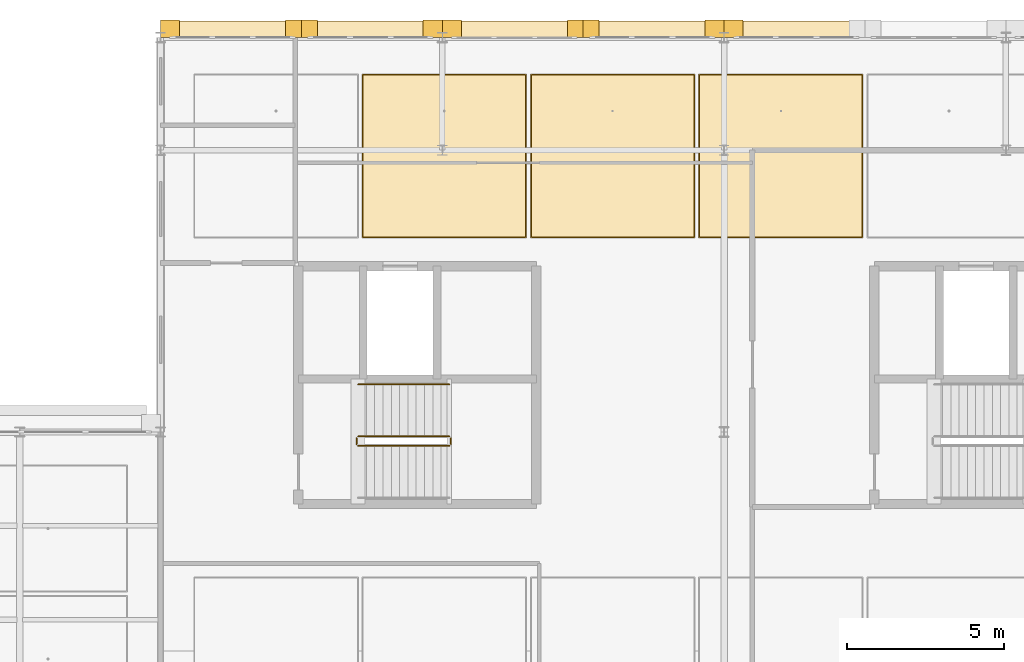
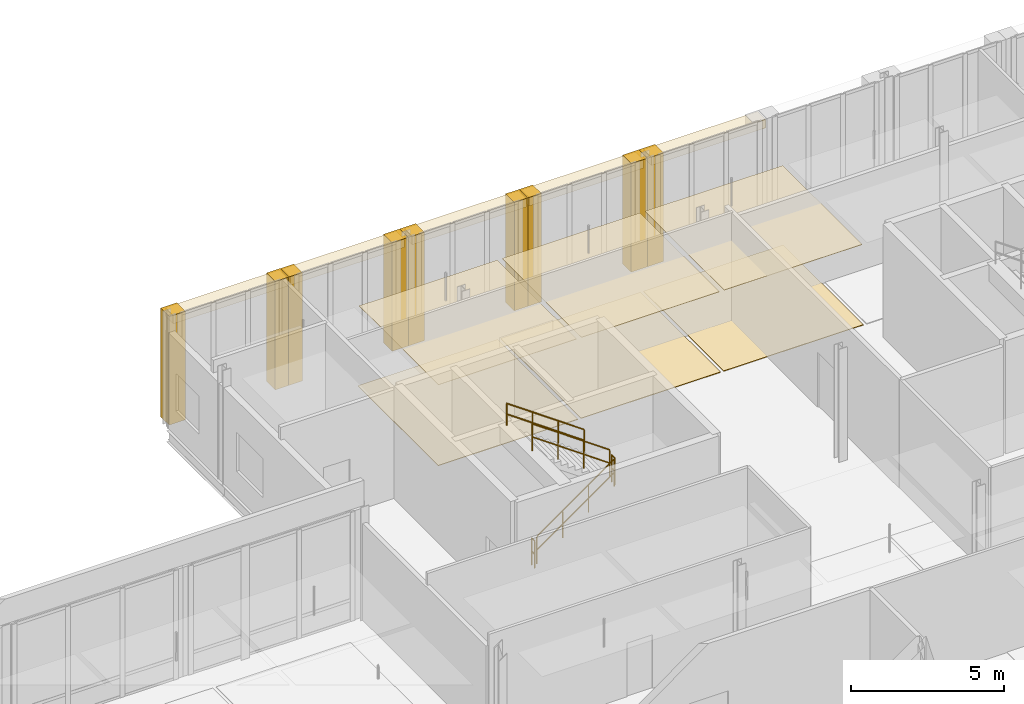
# One storey, part 87 of 89: 20 coverings, 5 railings.
"""IFC4 building model written with IfcOpenShell, lengths in metres."""

from ifc_helpers import new_model, si_unit, direction, frame, origin, origin_2d, place, context, subcontext, project, spatial, rectangle, circle, extrude, material, layer, layer_set, type_object, element, save


model = new_model("IFC4")

# Units and contexts
model_context = context("Model", 3, precision=1e-05, world=origin(), true_north=direction((0.0, 1.0)))
body_context = subcontext(model_context, "Body", "Model", "MODEL_VIEW")
ifc_project = project(units=[si_unit("LENGTHUNIT", "METRE"), si_unit("AREAUNIT", "SQUARE_METRE"), si_unit("VOLUMEUNIT", "CUBIC_METRE"), si_unit("PLANEANGLEUNIT", "RADIAN"), si_unit("MASSUNIT", "GRAM", prefix="KILO"), si_unit("THERMODYNAMICTEMPERATUREUNIT", "KELVIN"), si_unit("POWERUNIT", "WATT")], contexts=[model_context])

# Site, building, storey
site_placement = place(None, origin())
site = spatial("IfcSite", under=ifc_project, at=site_placement, CompositionType="ELEMENT")
building_placement = place(site_placement, origin())
building = spatial("IfcBuilding", under=site, at=building_placement, Name="Tallowbark Science Centre", CompositionType="ELEMENT")
storey_placement = place(building_placement, frame((0.0, 0.0, 14.39990234375)))
storey = spatial("IfcBuildingStorey", under=building, at=storey_placement, Name="L03", CompositionType="ELEMENT", Elevation=14.39990234375)

# Coverings
ifc_material_1 = material(Name="Mineral-Fibre Acoustic Ceiling Tile Grid")
ifc_layer_1 = layer(ifc_material_1, 0.01806640625)
ifc_layer_set_1 = layer_set([ifc_layer_1], Name="Mineral-Fibre Acoustic Ceiling Tile Grid")
covering_type_1 = type_object("IfcCoveringType", Name="CLG-ACT-18", PredefinedType="CEILING", material=ifc_layer_set_1)
for number, where, z_axis, x_axis, name in (
    (1, (121.5625, 107.8212890625, 3.191162109375), (0.0, 0.0, 1.0), (1.0, 0.0, 0.0), "Suspended Ceiling L03-1036"),
    (2, (126.9375, 107.8212890625, 3.191162109375), (0.0, 0.0, 1.0), (1.0, 0.0, 0.0), "Suspended Ceiling L03-1038"),
    (3, (132.3125, 107.8212890625, 3.191162109375), (0.0, 0.0, 1.0), (1.0, 0.0, 0.0), "Suspended Ceiling L03-1043"),
):
    element("IfcCovering", number, at=place(storey_placement, frame(where, z_axis=z_axis, x_axis=x_axis)), inside=storey, type_object=covering_type_1, Name=name, PredefinedType="CEILING", context=body_context, shape_type="SweptSolid", body=[
        extrude(rectangle(XDim=5.195068359375, YDim=5.177001953125, at=origin_2d()), origin(), (0.0, 0.0, 1.0), 0.01806640625),
    ])
ifc_material_2 = material(Name="White Architectural Precast Concrete Grade N40 (40 MPa)", Category="concrete")
ifc_layer_2 = layer(ifc_material_2, 0.1201171875)
ifc_layer_set_2 = layer_set([ifc_layer_2], Name="White Architectural Precast Concrete Grade N40 (40 MPa)")
covering_type_2 = type_object("IfcCoveringType", Name="COV-PRC-CLAD", PredefinedType="CLADDING", material=ifc_layer_set_2)
covering_placement = place(storey_placement, frame((121.195068359375, 111.8798828125, 0.0), z_axis=(0.0, 0.0, 1.0), x_axis=(-1.0, 0.0, 0.0)))
element("IfcCovering", 4, at=covering_placement, inside=storey, type_object=covering_type_2, Name="Postmodern Deep Precast Pier CW-L03-166-1", PredefinedType="CLADDING", context=body_context, shape_type="SweptSolid", body=[
    extrude(rectangle(XDim=0.610107421875, YDim=0.56005859375, at=origin_2d()), origin(), (0.0, 0.0, 1.0), 4.320068359375),
])
for number, where, z_axis, x_axis, name in (
    (5, (117.2548828125, 111.8798828125, 0.0), (0.0, 0.0, 1.0), (-1.0, 0.0, 0.0), "Postmodern Deep Precast Pier CW-L03-166-2"),
    (6, (116.7451171875, 111.8798828125, 0.0), (0.0, 0.0, 1.0), (-1.0, 0.0, 0.0), "Postmodern Deep Precast Pier CW-L03-167-1"),
):
    element("IfcCovering", number, at=place(storey_placement, frame(where, z_axis=z_axis, x_axis=x_axis)), inside=storey, type_object=covering_type_2, Name=name, PredefinedType="CLADDING", context=body_context, shape_type="SweptSolid", body=[
        extrude(rectangle(XDim=0.510009765625, YDim=0.56005859375, at=origin_2d()), origin(), (0.0, 0.0, 1.0), 4.320068359375),
    ])
for number, where, z_axis, x_axis, name in (
    (7, (112.804931640625, 111.8798828125, 0.0), (0.0, 0.0, 1.0), (-1.0, 0.0, 0.0), "Postmodern Deep Precast Pier CW-L03-167-2"),
    (8, (130.195068359375, 111.8798828125, 0.0), (0.0, 0.0, 1.0), (-1.0, 0.0, 0.0), "Postmodern Deep Precast Pier CW-L03-170-1"),
):
    element("IfcCovering", number, at=place(storey_placement, frame(where, z_axis=z_axis, x_axis=x_axis)), inside=storey, type_object=covering_type_2, Name=name, PredefinedType="CLADDING", context=body_context, shape_type="SweptSolid", body=[
        extrude(rectangle(XDim=0.610107421875, YDim=0.56005859375, at=origin_2d()), origin(), (0.0, 0.0, 1.0), 4.320068359375),
    ])
for number, where, z_axis, x_axis, name in (
    (9, (126.2548828125, 111.8798828125, 0.0), (0.0, 0.0, 1.0), (-1.0, 0.0, 0.0), "Postmodern Deep Precast Pier CW-L03-170-2"),
    (10, (125.7451171875, 111.8798828125, 0.0), (0.0, 0.0, 1.0), (-1.0, 0.0, 0.0), "Postmodern Deep Precast Pier CW-L03-171-1"),
):
    element("IfcCovering", number, at=place(storey_placement, frame(where, z_axis=z_axis, x_axis=x_axis)), inside=storey, type_object=covering_type_2, Name=name, PredefinedType="CLADDING", context=body_context, shape_type="SweptSolid", body=[
        extrude(rectangle(XDim=0.510009765625, YDim=0.56005859375, at=origin_2d()), origin(), (0.0, 0.0, 1.0), 4.320068359375),
    ])
for number, where, z_axis, x_axis, name in (
    (11, (121.804931640625, 111.8798828125, 0.0), (0.0, 0.0, 1.0), (-1.0, 0.0, 0.0), "Postmodern Deep Precast Pier CW-L03-171-2"),
    (12, (130.804931640625, 111.8798828125, 0.0), (0.0, 0.0, 1.0), (-1.0, 0.0, 0.0), "Postmodern Deep Precast Pier CW-L03-175-2"),
):
    element("IfcCovering", number, at=place(storey_placement, frame(where, z_axis=z_axis, x_axis=x_axis)), inside=storey, type_object=covering_type_2, Name=name, PredefinedType="CLADDING", context=body_context, shape_type="SweptSolid", body=[
        extrude(rectangle(XDim=0.610107421875, YDim=0.56005859375, at=origin_2d()), origin(), (0.0, 0.0, 1.0), 4.320068359375),
    ])
ifc_material_3 = material(Name="Vitrified Ochre Terracotta Architectural Rainscreen", Category="masonry")
ifc_layer_3 = layer(ifc_material_3, 0.0380859375)
ifc_layer_set_3 = layer_set([ifc_layer_3], Name="Vitrified Ochre Terracotta Architectural Rainscreen")
covering_type_3 = type_object("IfcCoveringType", Name="COV-TER-CLAD", PredefinedType="CLADDING", material=ifc_layer_set_3)
for number, where, z_axis, x_axis, name in (
    (13, (119.199951171875, 111.860107421875, 3.97021484375), (0.0, 0.0, 1.0), (-1.0, 0.0, 0.0), "Postmodern Terracotta Cornice Band CW-L03-166"),
    (14, (114.800048828125, 111.860107421875, 3.97021484375), (0.0, 0.0, 1.0), (-1.0, 0.0, 0.0), "Postmodern Terracotta Cornice Band CW-L03-167"),
    (15, (128.199951171875, 111.860107421875, 3.97021484375), (0.0, 0.0, 1.0), (-1.0, 0.0, 0.0), "Postmodern Terracotta Cornice Band CW-L03-170"),
    (16, (123.800048828125, 111.860107421875, 3.97021484375), (0.0, 0.0, 1.0), (-1.0, 0.0, 0.0), "Postmodern Terracotta Cornice Band CW-L03-171"),
    (17, (132.800048828125, 111.860107421875, 3.97021484375), (0.0, 0.0, 1.0), (-1.0, 0.0, 0.0), "Postmodern Terracotta Cornice Band CW-L03-175"),
):
    element("IfcCovering", number, at=place(storey_placement, frame(where, z_axis=z_axis, x_axis=x_axis)), inside=storey, type_object=covering_type_3, Name=name, PredefinedType="CLADDING", context=body_context, shape_type="SweptSolid", body=[
        extrude(rectangle(XDim=4.300048828125, YDim=0.52001953125, at=origin_2d()), origin(), (0.0, 0.0, 1.0), 0.340087890625),
    ])
ifc_material_4 = material(Name="Engineered Blackbutt Gallery Timber Flooring", Category="wood")
ifc_layer_4 = layer(ifc_material_4, 0.02197265625)
ifc_layer_set_4 = layer_set([ifc_layer_4], Name="Engineered Blackbutt Gallery Timber Flooring")
covering_type_4 = type_object("IfcCoveringType", Name="FLR-TIM-22", PredefinedType="FLOORING", material=ifc_layer_set_4)
for number, where, z_axis, x_axis, name in (
    (18, (121.5625, 107.8212890625, 0.0), (0.0, 0.0, 1.0), (1.0, 0.0, 0.0), "Floor Finish L03-1036"),
    (19, (126.9375, 107.8212890625, 0.0), (0.0, 0.0, 1.0), (1.0, 0.0, 0.0), "Floor Finish L03-1038"),
    (20, (132.3125, 107.8212890625, 0.0), (0.0, 0.0, 1.0), (1.0, 0.0, 0.0), "Floor Finish L03-1043"),
):
    element("IfcCovering", number, at=place(storey_placement, frame(where, z_axis=z_axis, x_axis=x_axis)), inside=storey, type_object=covering_type_4, Name=name, PredefinedType="FLOORING", context=body_context, shape_type="SweptSolid", body=[
        extrude(rectangle(XDim=5.2548828125, YDim=5.237060546875, at=origin_2d()), origin(), (0.0, 0.0, 1.0), 0.02197265625),
    ])

# Railings
ifc_material_5 = material(Name="Galvanised Painted Steel and Laminated Glass Balustrade", Category="steel")
ifc_layer_5 = layer(ifc_material_5, 0.070068359375)
ifc_layer_set_5 = layer_set([ifc_layer_5], Name="Galvanised Painted Steel and Laminated Glass Balustrade")
railing_type_1 = type_object("IfcRailingType", Name="RLG-BAL-1150", PredefinedType="BALUSTRADE", material=ifc_layer_set_5)
railing_1_placement = place(storey_placement, frame((118.81005859375, 98.56005859375, 0.1875)))
element("IfcRailing", 21, at=railing_1_placement, inside=storey, type_object=railing_type_1, Name="L03 ST-05 stair guard 1", PredefinedType="BALUSTRADE", context=body_context, shape_type="SweptSolid", body=[
    extrude(circle(Radius=0.02392578125, at=origin_2d()), frame((0.0, 0.0, 1.076171875), z_axis=(0.816330724661, 0.0, 0.577584753931), x_axis=(0.0, 1.0, 0.0)), (0.0, 0.0, 1.0), 3.57080078125),
    extrude(circle(Radius=0.02392578125, at=origin_2d()), frame((0.0, 0.0, 0.550048828125), z_axis=(0.816330724661, 0.0, 0.577584753931), x_axis=(0.0, 1.0, 0.0)), (0.0, 0.0, 1.0), 3.57080078125),
    extrude(circle(Radius=0.02099609375, at=origin_2d()), origin(), (0.0, 0.0, 1.0), 1.052001953125),
    extrude(circle(Radius=0.02099609375, at=origin_2d()), frame((0.9716796875, 0.0, 0.6875)), (0.0, 0.0, 1.0), 1.052001953125),
    extrude(circle(Radius=0.02099609375, at=origin_2d()), frame((1.943359375, 0.0, 1.375)), (0.0, 0.0, 1.0), 1.052001953125),
    extrude(circle(Radius=0.02099609375, at=origin_2d()), frame((2.9150390625, 0.0, 2.0625)), (0.0, 0.0, 1.0), 1.052001953125),
])
railing_2_placement = place(storey_placement, frame((121.77490234375, 98.610107421875, 2.25)))
element("IfcRailing", 22, at=railing_2_placement, inside=storey, type_object=railing_type_1, Name="L03 ST-05 stair guard 2", PredefinedType="BALUSTRADE", context=body_context, shape_type="SweptSolid", body=[
    extrude(circle(Radius=0.02392578125, at=origin_2d()), frame((0.0, 0.0, 1.076171875), z_axis=(0.0, 1.0, 0.0), x_axis=(-1.0, 0.0, 0.0)), (0.0, 0.0, 1.0), 0.199951171875),
    extrude(circle(Radius=0.02392578125, at=origin_2d()), frame((0.0, 0.0, 0.550048828125), z_axis=(0.0, 1.0, 0.0), x_axis=(-1.0, 0.0, 0.0)), (0.0, 0.0, 1.0), 0.199951171875),
    extrude(circle(Radius=0.02099609375, at=origin_2d()), origin(), (0.0, 0.0, 1.0), 1.052001953125),
    extrude(circle(Radius=0.02099609375, at=origin_2d()), frame((0.0, 0.199951171875, 0.0)), (0.0, 0.0, 1.0), 1.052001953125),
])
railing_3_placement = place(storey_placement, frame((121.72509765625, 98.860107421875, 2.4375)))
element("IfcRailing", 23, at=railing_3_placement, inside=storey, type_object=railing_type_1, Name="L03 ST-05 stair guard 3", PredefinedType="BALUSTRADE", context=body_context, shape_type="SweptSolid", body=[
    extrude(circle(Radius=0.02392578125, at=origin_2d()), frame((0.0, 0.0, 1.076171875), z_axis=(-0.816330724661, 0.0, 0.577584753931), x_axis=(0.0, -1.0, 0.0)), (0.0, 0.0, 1.0), 3.57080078125),
    extrude(circle(Radius=0.02392578125, at=origin_2d()), frame((0.0, 0.0, 0.550048828125), z_axis=(-0.816330724661, 0.0, 0.577584753931), x_axis=(0.0, -1.0, 0.0)), (0.0, 0.0, 1.0), 3.57080078125),
    extrude(circle(Radius=0.02099609375, at=origin_2d()), origin(), (0.0, 0.0, 1.0), 1.052001953125),
    extrude(circle(Radius=0.02099609375, at=origin_2d()), frame((-0.9716796875, 0.0, 0.6875)), (0.0, 0.0, 1.0), 1.052001953125),
    extrude(circle(Radius=0.02099609375, at=origin_2d()), frame((-1.943359375, 0.0, 1.375)), (0.0, 0.0, 1.0), 1.052001953125),
    extrude(circle(Radius=0.02099609375, at=origin_2d()), frame((-2.9150390625, 0.0, 2.0625)), (0.0, 0.0, 1.0), 1.052001953125),
])
railing_4_placement = place(storey_placement, frame((118.760009765625, 98.610107421875, 0.0)))
element("IfcRailing", 24, at=railing_4_placement, inside=storey, type_object=railing_type_1, Name="L03 ST-05 stair guard 4", PredefinedType="BALUSTRADE", context=body_context, shape_type="SweptSolid", body=[
    extrude(circle(Radius=0.02392578125, at=origin_2d()), frame((0.0, 0.0, 1.076171875), z_axis=(0.0, 1.0, 0.0), x_axis=(-1.0, 0.0, 0.0)), (0.0, 0.0, 1.0), 0.199951171875),
    extrude(circle(Radius=0.02392578125, at=origin_2d()), frame((0.0, 0.0, 0.550048828125), z_axis=(0.0, 1.0, 0.0), x_axis=(-1.0, 0.0, 0.0)), (0.0, 0.0, 1.0), 0.199951171875),
    extrude(circle(Radius=0.02099609375, at=origin_2d()), origin(), (0.0, 0.0, 1.0), 1.052001953125),
    extrude(circle(Radius=0.02099609375, at=origin_2d()), frame((0.0, 0.199951171875, 0.0)), (0.0, 0.0, 1.0), 1.052001953125),
])
ifc_material_6 = material(Name="Brushed Grade 316 Stainless Steel Handrail", Category="steel")
ifc_layer_6 = layer(ifc_material_6, 0.050048828125)
ifc_layer_set_6 = layer_set([ifc_layer_6], Name="Brushed Grade 316 Stainless Steel Handrail")
railing_type_2 = type_object("IfcRailingType", Name="RLG-HDR-950", PredefinedType="HANDRAIL", material=ifc_layer_set_6)
railing_5_placement = place(storey_placement, frame((121.72509765625, 100.52001953125, 2.4375)))
element("IfcRailing", 25, at=railing_5_placement, inside=storey, type_object=railing_type_2, Name="L03 ST-05 stair handrail 2", PredefinedType="HANDRAIL", context=body_context, shape_type="SweptSolid", body=[
    extrude(circle(Radius=0.02392578125, at=origin_2d()), frame((0.0, 0.0, 0.8759765625), z_axis=(-0.816330724661, 0.0, 0.577584753931), x_axis=(0.0, -1.0, 0.0)), (0.0, 0.0, 1.0), 3.57080078125),
    extrude(circle(Radius=0.02392578125, at=origin_2d()), frame((0.0, 0.0, 0.449951171875), z_axis=(-0.816330724661, 0.0, 0.577584753931), x_axis=(0.0, -1.0, 0.0)), (0.0, 0.0, 1.0), 3.57080078125),
    extrude(circle(Radius=0.02099609375, at=origin_2d()), origin(), (0.0, 0.0, 1.0), 0.851806640625),
    extrude(circle(Radius=0.02099609375, at=origin_2d()), frame((-0.9716796875, 0.0, 0.6875)), (0.0, 0.0, 1.0), 0.851806640625),
    extrude(circle(Radius=0.02099609375, at=origin_2d()), frame((-1.943359375, 0.0, 1.375)), (0.0, 0.0, 1.0), 0.851806640625),
    extrude(circle(Radius=0.02099609375, at=origin_2d()), frame((-2.9150390625, 0.0, 2.0625)), (0.0, 0.0, 1.0), 0.851806640625),
])

save(model, "model.ifc")
